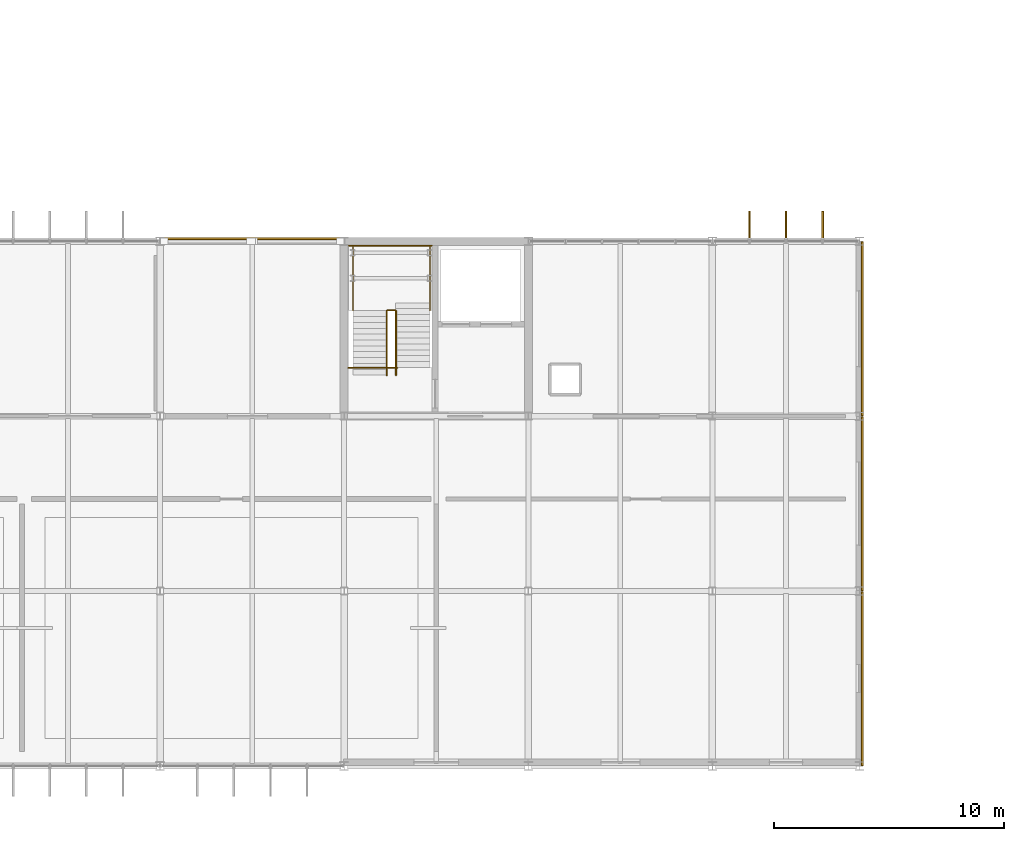
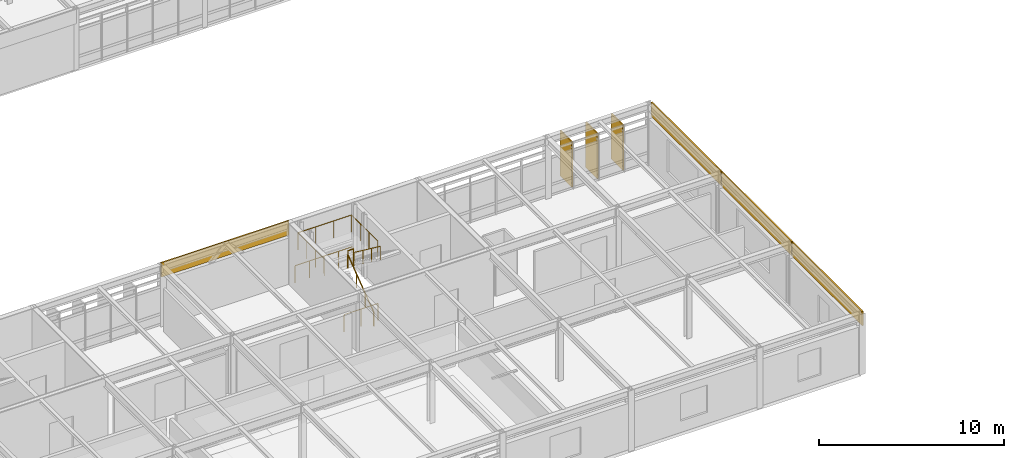
# One storey, part 41 of 45: 6 railings, 4 coverings, 3 shading devices.
"""IFC4 building model written with IfcOpenShell, lengths in metres."""

import ifcopenshell
import ifcopenshell.guid

model = None  # the IFC model being written
_history = None  # IfcOwnerHistory: only IFC2X3 demands one
_inside = {}  # id of a spatial element -> (the spatial element, [elements in it])
_under = {}  # id of a project, library or spatial element -> (it, [spatial elements below it])
_declared = {}  # id of a project -> (the project, [libraries it declares])
_typed = {}  # id of a type object -> (the type object, [elements of that type])
_made_of = {}  # id of a material, layer set ... -> (it, [elements and type objects made of it])


def new_model(schema):
    """Start an empty IFC model of exactly this schema.

    Asked for "IFC4X3", IfcOpenShell would pick the latest addendum, in which some entities
    have other attributes; the version numbers below select the first issue.
    IFC2X3 requires an IfcOwnerHistory on every rooted entity: one is made here for all.
    """
    global model, _history
    if schema == "IFC4X3":
        model = ifcopenshell.file(schema_version=(4, 3, 0, 0))
    else:
        model = ifcopenshell.file(schema=schema)
    _inside.clear()
    _under.clear()
    _declared.clear()
    _typed.clear()
    _made_of.clear()
    _history = None
    if model.schema == "IFC2X3":
        org = make("IfcOrganization", Name="unknown")
        user = make(
            "IfcPersonAndOrganization",
            ThePerson=make("IfcPerson", FamilyName="unknown"),
            TheOrganization=org,
        )
        app = make(
            "IfcApplication",
            ApplicationDeveloper=org,
            Version="unknown",
            ApplicationFullName="unknown",
            ApplicationIdentifier="unknown",
        )
        _history = make(
            "IfcOwnerHistory",
            OwningUser=user,
            OwningApplication=app,
            ChangeAction="ADDED",
            CreationDate=0,
        )
    return model


def make(cls, **values):
    """One entity of the class cls with the attributes given. An attribute that is None is left unset."""
    return model.create_entity(
        cls, **{name: value for name, value in values.items() if value is not None}
    )


def rooted(cls, **values):
    """An entity with a GlobalId (a new one), such as an element, a storey or a relation."""
    return make(cls, GlobalId=ifcopenshell.guid.new(), OwnerHistory=_history, **values)


def si_unit(unit_type, name, prefix=None):
    """IfcSIUnit, for example si_unit("LENGTHUNIT", "METRE", prefix="MILLI")."""
    return make("IfcSIUnit", UnitType=unit_type, Prefix=prefix, Name=name)


def assignment(units):
    """IfcUnitAssignment: the units of a project."""
    return None if units is None else make("IfcUnitAssignment", Units=units)


def point(xyz):
    """IfcCartesianPoint."""
    return None if xyz is None else make("IfcCartesianPoint", Coordinates=xyz)


def direction(xyz):
    """IfcDirection."""
    return None if xyz is None else make("IfcDirection", DirectionRatios=xyz)


def frame(location, z_axis=None, x_axis=None):
    """IfcAxis2Placement3D, a coordinate frame: its origin and axes. An axis left out is left unset."""
    return make(
        "IfcAxis2Placement3D",
        Location=point(location),
        Axis=direction(z_axis),
        RefDirection=direction(x_axis),
    )


def frame_2d(location, x_axis=None):
    """IfcAxis2Placement2D, a coordinate frame in the plane: its origin and x axis."""
    return make(
        "IfcAxis2Placement2D", Location=point(location), RefDirection=direction(x_axis)
    )


def origin():
    """The frame at (0, 0, 0) with its axes left unset."""
    return frame((0.0, 0.0, 0.0))


def origin_2d():
    """The frame at (0, 0) in the plane with its x axis left unset."""
    return frame_2d((0.0, 0.0))


def place(relative_to, where):
    """IfcLocalPlacement: puts the frame where relative to a parent placement (None: the world)."""
    return make(
        "IfcLocalPlacement", PlacementRelTo=relative_to, RelativePlacement=where
    )


def context(
    kind, dimensions, precision=None, world=None, true_north=None, identifier=None
):
    """IfcGeometricRepresentationContext, for example the 3D "Model" context."""
    return make(
        "IfcGeometricRepresentationContext",
        ContextIdentifier=identifier,
        ContextType=kind,
        CoordinateSpaceDimension=dimensions,
        Precision=precision,
        WorldCoordinateSystem=world,
        TrueNorth=true_north,
    )


def subcontext(parent, identifier, kind, view, scale=None):
    """IfcGeometricRepresentationSubContext, for example "Body" below "Model"."""
    return make(
        "IfcGeometricRepresentationSubContext",
        ContextIdentifier=identifier,
        ContextType=kind,
        ParentContext=parent,
        TargetScale=scale,
        TargetView=view,
    )


def project(units=None, contexts=None):
    """IfcProject with its units and contexts."""
    return rooted(
        "IfcProject",
        Name="project",
        RepresentationContexts=contexts,
        UnitsInContext=assignment(units),
    )


def spatial(cls, under=None, at=None, **own):
    """A site, building, storey or space (cls), placed at a placement, below another one or the project."""
    s = rooted(cls, ObjectPlacement=at, **own)
    if under is not None:
        _under.setdefault(under.id(), (under, []))[1].append(s)
    return s


def profile(cls, at=None, kind="AREA", **sizes):
    """A parametric profile (cls). Its sizes go by their IFC names, for example OverallWidth=200.0."""
    return make(cls, ProfileType=kind, Position=at, **sizes)


def rectangle(**sizes):
    """IfcRectangleProfileDef."""
    return profile("IfcRectangleProfileDef", **sizes)


def circle(**sizes):
    """IfcCircleProfileDef."""
    return profile("IfcCircleProfileDef", **sizes)


def extrude(swept, where, along, depth):
    """IfcExtrudedAreaSolid: the profile swept, set in the frame where, extruded along a direction by depth."""
    return make(
        "IfcExtrudedAreaSolid",
        SweptArea=swept,
        Position=where,
        ExtrudedDirection=direction(along),
        Depth=depth,
    )


def shape(context_of_items, identifier, shape_type, items):
    """IfcShapeRepresentation: the items that make up one representation, for example the "Body"."""
    return make(
        "IfcShapeRepresentation",
        ContextOfItems=context_of_items,
        RepresentationIdentifier=identifier,
        RepresentationType=shape_type,
        Items=items,
    )


def material(Name=None, Category=None):
    """IfcMaterial."""
    return make("IfcMaterial", Name=Name, Category=Category)


def layer(
    of_material, thickness, ventilated=None, Name=None, Category=None, Priority=None
):
    """IfcMaterialLayer: one layer of a wall or slab, of a material (None: an air gap)."""
    return make(
        "IfcMaterialLayer",
        Material=of_material,
        LayerThickness=thickness,
        IsVentilated=ventilated,
        Name=Name,
        Category=Category,
        Priority=Priority,
    )


def layer_set(layers, Name=None):
    """IfcMaterialLayerSet."""
    return make("IfcMaterialLayerSet", MaterialLayers=layers, LayerSetName=Name)


def made_of(thing, what):
    """Note that an element or type object is made of a material, layer set ...; save() writes the relation."""
    if what is not None:
        _made_of.setdefault(what.id(), (what, []))[1].append(thing)
    return thing


def type_object(cls, material=None, **own):
    """A type object (cls), such as IfcWallType, which elements share."""
    return made_of(rooted(cls, **own), material)


def element(
    cls,
    number,
    at=None,
    inside=None,
    cuts=None,
    type_object=None,
    material=None,
    context=None,
    identifier="Body",
    shape_type=None,
    held_by="IfcProductDefinitionShape",
    body=None,
    shapes=None,
    **own,
):
    """One element of the class cls, such as IfcWall. Its Tag is "e" and its number.

    at: its placement. inside: the storey or other place that contains it. cuts: it is an
    opening in that element (IfcRelVoidsElement). A single representation is given by context,
    identifier, shape_type and body (its items); several are given by shapes. held_by: the class
    of the entity that holds the representations. save() writes the other relations.
    """
    e = rooted(cls, Tag="e%d" % number, ObjectPlacement=at, **own)
    if body is not None:
        shapes = [shape(context, identifier, shape_type, body)]
    if shapes is not None:
        e.Representation = make(held_by, Representations=shapes)
    if inside is not None:
        _inside.setdefault(inside.id(), (inside, []))[1].append(e)
    if cuts is not None:
        rooted(
            "IfcRelVoidsElement", RelatingBuildingElement=cuts, RelatedOpeningElement=e
        )
    if type_object is not None:
        _typed.setdefault(type_object.id(), (type_object, []))[1].append(e)
    return made_of(e, material)


def aggregate(whole, parts):
    """IfcRelAggregates: a whole, such as a stair, and the parts it consists of."""
    return rooted("IfcRelAggregates", RelatingObject=whole, RelatedObjects=parts)


def save(model, path):
    """Write the relations noted so far, then the file.

    IfcRelAggregates (storeys below a building ...), IfcRelContainedInSpatialStructure (elements
    in a storey), IfcRelDefinesByType, IfcRelAssociatesMaterial and IfcRelDeclares: one each for
    every whole, place, type object, material and project.
    """
    for whole, parts in _under.values():
        aggregate(whole, parts)
    for where, things in _inside.values():
        rooted(
            "IfcRelContainedInSpatialStructure",
            RelatedElements=things,
            RelatingStructure=where,
        )
    for kind, things in _typed.values():
        rooted("IfcRelDefinesByType", RelatedObjects=things, RelatingType=kind)
    for what, things in _made_of.values():
        rooted("IfcRelAssociatesMaterial", RelatedObjects=things, RelatingMaterial=what)
    for by, libraries in _declared.values():
        rooted("IfcRelDeclares", RelatingContext=by, RelatedDefinitions=libraries)
    model.write(path)


model = new_model("IFC4")

# Units and contexts
model_context = context("Model", 3, precision=1e-05, world=origin(), true_north=direction((0.0, 1.0)))
body_context = subcontext(model_context, "Body", "Model", "MODEL_VIEW")
ifc_project = project(units=[si_unit("LENGTHUNIT", "METRE"), si_unit("AREAUNIT", "SQUARE_METRE"), si_unit("VOLUMEUNIT", "CUBIC_METRE"), si_unit("PLANEANGLEUNIT", "RADIAN"), si_unit("MASSUNIT", "GRAM", prefix="KILO")], contexts=[model_context])

# Site, building, storey
site_placement = place(None, origin())
site = spatial("IfcSite", under=ifc_project, at=site_placement, CompositionType="ELEMENT")
building_placement = place(site_placement, origin())
building = spatial("IfcBuilding", under=site, at=building_placement, Name="Zulena Civic Courthouse", CompositionType="ELEMENT")
storey_placement = place(building_placement, frame((0.0, 0.0, 29.39990234375)))
storey = spatial("IfcBuildingStorey", under=building, at=storey_placement, Name="L06", CompositionType="ELEMENT", Elevation=29.39990234375)

# Shading devices
ifc_material_1 = material(Name="Gold anodised architectural aluminium AA6063-T6", Category="aluminium")
shading_device_type = type_object("IfcShadingDeviceType", Name="GoldSolarFin_300", PredefinedType="USERDEFINED", material=ifc_material_1)
for number, where, z_axis, x_axis, name in (
    (1, (61.612060546875, 23.485107421875, 0.05029296875), (0.0, 0.0, 1.0), (0.0, 1.0, 0.0), "fin:V2:L06:1:6:1"),
    (2, (63.199951171875, 23.485107421875, 0.05029296875), (0.0, 0.0, 1.0), (0.0, 1.0, 0.0), "fin:V2:L06:1:6:2"),
    (3, (64.7880859375, 23.485107421875, 0.05029296875), (0.0, 0.0, 1.0), (0.0, 1.0, 0.0), "fin:V2:L06:1:6:3"),
):
    element("IfcShadingDevice", number, at=place(storey_placement, frame(where, z_axis=z_axis, x_axis=x_axis)), inside=storey, type_object=shading_device_type, Name=name, ObjectType="FIN", PredefinedType="USERDEFINED", context=body_context, shape_type="SweptSolid", body=[
        extrude(rectangle(XDim=1.25, YDim=0.080078125, at=origin_2d()), origin(), (0.0, 0.0, 1.0), 2.989990234375),
    ])

# Railings
ifc_material_2 = material(Name="Brushed architectural steel ASTM A36", Category="steel")
railing_type_1 = type_object("IfcRailingType", Name="InteriorGuardrail_1150", PredefinedType="GUARDRAIL", material=ifc_material_2)
railing_1_placement = place(storey_placement, frame((44.199951171875, 22.610107421875, 0.0)))
element("IfcRailing", 4, at=railing_1_placement, inside=storey, type_object=railing_type_1, Name="gr:wellN:K2B:L05", PredefinedType="GUARDRAIL", context=body_context, shape_type="SweptSolid", body=[
    extrude(circle(Radius=0.02392578125, at=origin_2d()), frame((0.00390625, 0.0, 1.1259765625), z_axis=(1.0, 0.0, 0.0), x_axis=(0.0, 1.0, 0.0)), (0.0, 0.0, 1.0), 3.592041015625),
    extrude(circle(Radius=0.02099609375, at=origin_2d()), origin(), (0.0, 0.0, 1.0), 1.097900390625),
    extrude(circle(Radius=0.02099609375, at=origin_2d()), frame((0.89990234375, 0.0, 0.0)), (0.0, 0.0, 1.0), 1.097900390625),
    extrude(circle(Radius=0.02099609375, at=origin_2d()), frame((1.800048828125, 0.0, 0.0)), (0.0, 0.0, 1.0), 1.097900390625),
    extrude(circle(Radius=0.02099609375, at=origin_2d()), frame((2.7001953125, 0.0, 0.0)), (0.0, 0.0, 1.0), 1.097900390625),
    extrude(circle(Radius=0.02099609375, at=origin_2d()), frame((3.60009765625, 0.0, 0.0)), (0.0, 0.0, 1.0), 1.097900390625),
])
railing_2_placement = place(storey_placement, frame((44.179931640625, 17.300048828125, 0.0)))
element("IfcRailing", 5, at=railing_2_placement, inside=storey, type_object=railing_type_1, Name="gr:wells:K2B:L06", PredefinedType="GUARDRAIL", context=body_context, shape_type="SweptSolid", body=[
    extrude(circle(Radius=0.02392578125, at=origin_2d()), frame((0.00390625, 0.0, 1.1259765625), z_axis=(1.0, 0.0, 0.0), x_axis=(0.0, 1.0, 0.0)), (0.0, 0.0, 1.0), 2.112060546875),
    extrude(circle(Radius=0.02099609375, at=origin_2d()), origin(), (0.0, 0.0, 1.0), 1.097900390625),
    extrude(circle(Radius=0.02099609375, at=origin_2d()), frame((1.06005859375, 0.0, 0.0)), (0.0, 0.0, 1.0), 1.097900390625),
    extrude(circle(Radius=0.02099609375, at=origin_2d()), frame((2.1201171875, 0.0, 0.0)), (0.0, 0.0, 1.0), 1.097900390625),
])
railing_3_placement = place(storey_placement, frame((44.3798828125, 19.78466796875, 2.10009765625)))
element("IfcRailing", 6, at=railing_3_placement, inside=storey, type_object=railing_type_1, Name="gr:lnd:K2B:L06", PredefinedType="GUARDRAIL", context=body_context, shape_type="SweptSolid", body=[
    extrude(circle(Radius=0.02392578125, at=origin_2d()), frame((0.0, 0.00390625, 1.1259765625), z_axis=(0.0, 1.0, 0.0), x_axis=(-1.0, 0.0, 0.0)), (0.0, 0.0, 1.0), 2.827392578125),
    extrude(circle(Radius=0.02392578125, at=origin_2d()), frame((0.00390625, 2.83544921875, 1.1259765625), z_axis=(1.0, 0.0, 0.0), x_axis=(0.0, 1.0, 0.0)), (0.0, 0.0, 1.0), 3.33203125),
    extrude(circle(Radius=0.02392578125, at=origin_2d()), frame((3.340087890625, 2.83154296875, 1.1259765625), z_axis=(0.0, -1.0, 0.0), x_axis=(1.0, 0.0, 0.0)), (0.0, 0.0, 1.0), 2.827392578125),
    extrude(circle(Radius=0.02099609375, at=origin_2d()), origin(), (0.0, 0.0, 1.0), 1.097900390625),
    extrude(circle(Radius=0.02099609375, at=origin_2d()), frame((0.0, 0.945068359375, 0.0)), (0.0, 0.0, 1.0), 1.097900390625),
    extrude(circle(Radius=0.02099609375, at=origin_2d()), frame((0.0, 1.890380859375, 0.0)), (0.0, 0.0, 1.0), 1.097900390625),
    extrude(circle(Radius=0.02099609375, at=origin_2d()), frame((0.0, 2.83544921875, 0.0)), (0.0, 0.0, 1.0), 1.097900390625),
    extrude(circle(Radius=0.02099609375, at=origin_2d()), frame((1.11328125, 2.83544921875, 0.0)), (0.0, 0.0, 1.0), 1.097900390625),
    extrude(circle(Radius=0.02099609375, at=origin_2d()), frame((2.226806640625, 2.83544921875, 0.0)), (0.0, 0.0, 1.0), 1.097900390625),
    extrude(circle(Radius=0.02099609375, at=origin_2d()), frame((3.340087890625, 2.83544921875, 0.0)), (0.0, 0.0, 1.0), 1.097900390625),
    extrude(circle(Radius=0.02099609375, at=origin_2d()), frame((3.340087890625, 1.890380859375, 0.0)), (0.0, 0.0, 1.0), 1.097900390625),
    extrude(circle(Radius=0.02099609375, at=origin_2d()), frame((3.340087890625, 0.945068359375, 0.0)), (0.0, 0.0, 1.0), 1.097900390625),
    extrude(circle(Radius=0.02099609375, at=origin_2d()), frame((3.340087890625, 0.0, 0.0)), (0.0, 0.0, 1.0), 1.097900390625),
])
railing_4_placement = place(storey_placement, frame((45.8798828125, 19.804931640625, 2.10009765625)))
element("IfcRailing", 7, at=railing_4_placement, inside=storey, type_object=railing_type_1, Name="gr:lndslot:K2B:L06", PredefinedType="GUARDRAIL", context=body_context, shape_type="SweptSolid", body=[
    extrude(circle(Radius=0.02392578125, at=origin_2d()), frame((0.00390625, 0.0, 1.1259765625), z_axis=(1.0, 0.0, 0.0), x_axis=(0.0, 1.0, 0.0)), (0.0, 0.0, 1.0), 0.33203125),
    extrude(circle(Radius=0.02099609375, at=origin_2d()), origin(), (0.0, 0.0, 1.0), 1.097900390625),
    extrude(circle(Radius=0.02099609375, at=origin_2d()), frame((0.340087890625, 0.0, 0.0)), (0.0, 0.0, 1.0), 1.097900390625),
])

# Coverings
ifc_material_3 = material(Name="White architectural precast concrete C40/50", Category="concrete")
ifc_layer = layer(ifc_material_3, 0.0849609375)
ifc_layer_set = layer_set([ifc_layer], Name="White architectural precast concrete C40/50")
covering_type = type_object("IfcCoveringType", Name="PrecastSpandrelCladding_85", PredefinedType="CLADDING", material=ifc_layer_set)
covering_placement = place(storey_placement, frame((40.0, 22.919921875, 3.06005859375), z_axis=(0.0, 0.0, 1.0), x_axis=(1.0, 0.0, 0.0)))
element("IfcCovering", 8, at=covering_placement, inside=storey, type_object=covering_type, Name="clad:sp:V2:L06:1:3", PredefinedType="CLADDING", context=body_context, shape_type="SweptSolid", body=[
    extrude(rectangle(XDim=7.9599609375, YDim=0.0849609375, at=origin_2d()), origin(), (0.0, 0.0, 1.0), 0.93994140625),
])
for number, where, z_axis, x_axis, name in (
    (9, (66.52001953125, 19.0, 3.06005859375), (0.0, 0.0, 1.0), (0.0, -1.0, 0.0), "clad:sp:V2:L06:2:0"),
    (10, (66.52001953125, 11.39990234375, 3.06005859375), (0.0, 0.0, 1.0), (0.0, -1.0, 0.0), "clad:sp:V2:L06:2:1"),
    (11, (66.52001953125, 3.800048828125, 3.06005859375), (0.0, 0.0, 1.0), (0.0, -1.0, 0.0), "clad:sp:V2:L06:2:2"),
):
    element("IfcCovering", number, at=place(storey_placement, frame(where, z_axis=z_axis, x_axis=x_axis)), inside=storey, type_object=covering_type, Name=name, PredefinedType="CLADDING", context=body_context, shape_type="SweptSolid", body=[
        extrude(rectangle(XDim=7.56005859375, YDim=0.0849609375, at=origin_2d()), origin(), (0.0, 0.0, 1.0), 0.93994140625),
    ])

# Railings
railing_type_2 = type_object("IfcRailingType", Name="StairHandrail_920", PredefinedType="HANDRAIL", material=ifc_material_2)
railing_5_placement = place(storey_placement, frame((45.85009765625, 16.97998046875, 0.0)))
element("IfcRailing", 12, at=railing_5_placement, inside=storey, type_object=railing_type_2, Name="hr:K2B:L06:1", PredefinedType="HANDRAIL", context=body_context, shape_type="SweptSolid", body=[
    extrude(circle(Radius=0.02392578125, at=origin_2d()), frame((0.0, 0.003173828125, 0.898193359375), z_axis=(0.0, 0.800467996722, 0.599375496849), x_axis=(-1.0, 0.0, 0.0)), (0.0, 0.0, 1.0), 3.495849609375),
    extrude(circle(Radius=0.02099609375, at=origin_2d()), origin(), (0.0, 0.0, 1.0), 0.867919921875),
    extrude(circle(Radius=0.02099609375, at=origin_2d()), frame((0.0, 0.934814453125, 0.699951171875)), (0.0, 0.0, 1.0), 0.867919921875),
    extrude(circle(Radius=0.02099609375, at=origin_2d()), frame((0.0, 1.869873046875, 1.400146484375)), (0.0, 0.0, 1.0), 0.867919921875),
    extrude(circle(Radius=0.02099609375, at=origin_2d()), frame((0.0, 2.8046875, 2.10009765625)), (0.0, 0.0, 1.0), 0.867919921875),
])
railing_6_placement = place(storey_placement, frame((46.25, 19.78466796875, 2.10009765625)))
element("IfcRailing", 13, at=railing_6_placement, inside=storey, type_object=railing_type_2, Name="hr:K2B:L06:2", PredefinedType="HANDRAIL", context=body_context, shape_type="SweptSolid", body=[
    extrude(circle(Radius=0.02392578125, at=origin_2d()), frame((0.0, -0.003173828125, 0.898193359375), z_axis=(0.0, -0.800467996722, 0.599375496849), x_axis=(1.0, 0.0, 0.0)), (0.0, 0.0, 1.0), 3.495849609375),
    extrude(circle(Radius=0.02099609375, at=origin_2d()), origin(), (0.0, 0.0, 1.0), 0.867919921875),
    extrude(circle(Radius=0.02099609375, at=origin_2d()), frame((0.0, -0.934814453125, 0.699951171875)), (0.0, 0.0, 1.0), 0.867919921875),
    extrude(circle(Radius=0.02099609375, at=origin_2d()), frame((0.0, -1.869873046875, 1.400146484375)), (0.0, 0.0, 1.0), 0.867919921875),
    extrude(circle(Radius=0.02099609375, at=origin_2d()), frame((0.0, -2.8046875, 2.10009765625)), (0.0, 0.0, 1.0), 0.867919921875),
])

save(model, "model.ifc")
